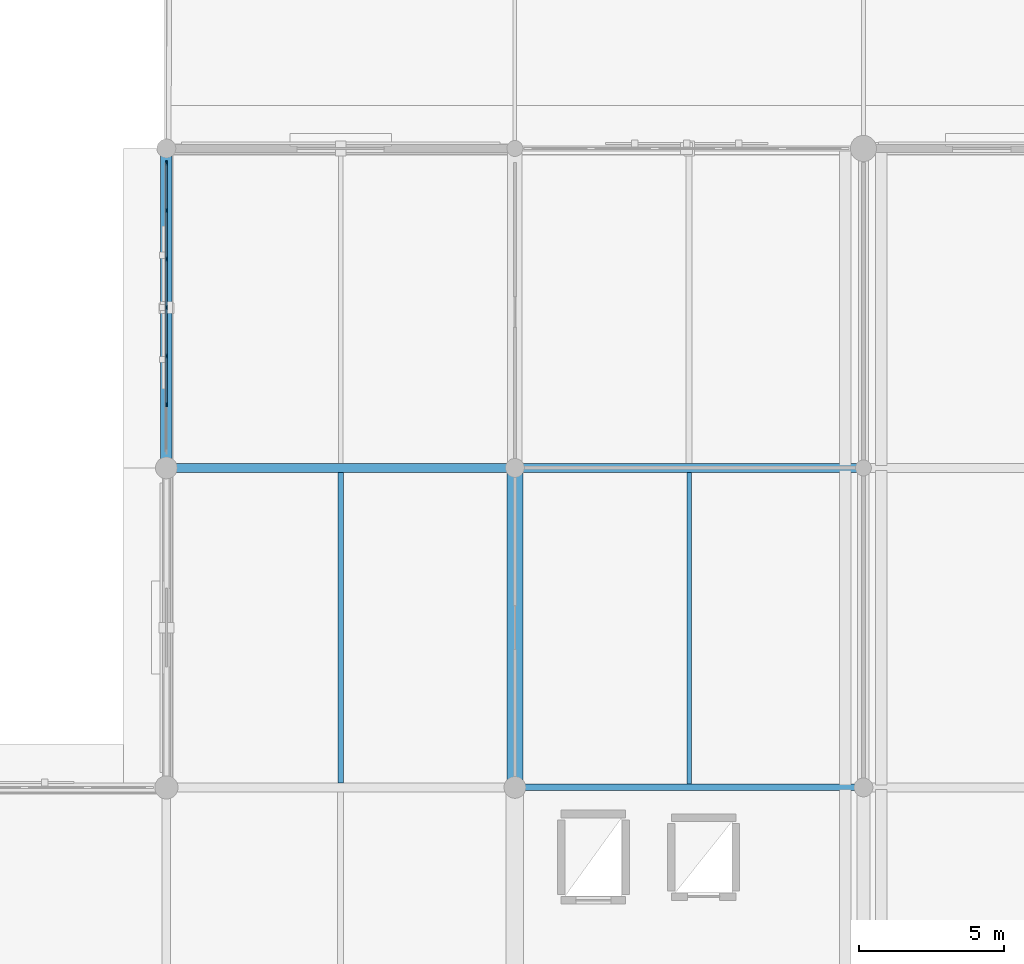
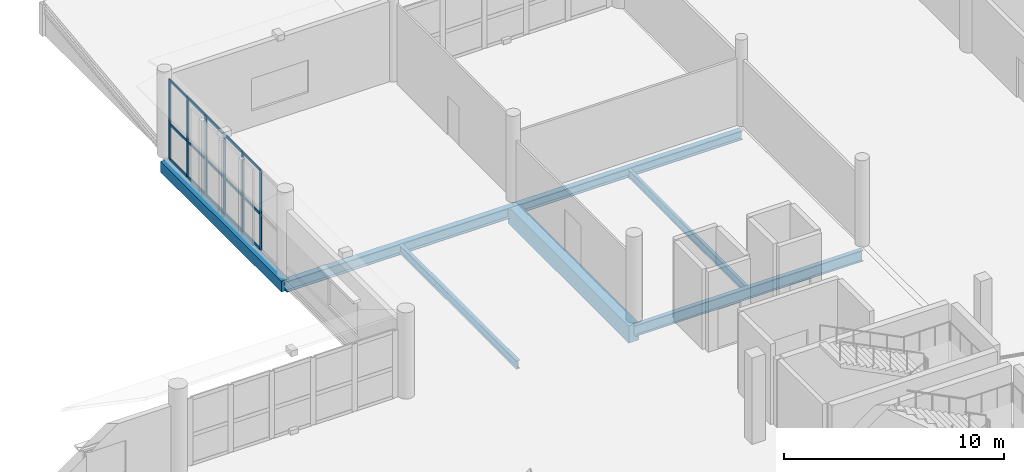
# One storey, part 67 of 143: 21 members, 7 beams, 1 element without a shape of its own.
"""IFC4 building model written with IfcOpenShell, lengths in metres."""

from ifc_helpers import new_model, si_unit, direction, frame, origin, origin_2d, place, context, subcontext, project, spatial, rectangle, i_section, extrude, material, material_profile, profile_set, type_object, element, aggregate, save


model = new_model("IFC4")

# Units and contexts
model_context = context("Model", 3, precision=1e-05, world=origin(), true_north=direction((0.0, 1.0)))
body_context = subcontext(model_context, "Body", "Model", "MODEL_VIEW")
ifc_project = project(units=[si_unit("LENGTHUNIT", "METRE"), si_unit("AREAUNIT", "SQUARE_METRE"), si_unit("VOLUMEUNIT", "CUBIC_METRE"), si_unit("PLANEANGLEUNIT", "RADIAN"), si_unit("MASSUNIT", "GRAM", prefix="KILO")], contexts=[model_context])

# Site, building, storey
site_placement = place(None, origin())
site = spatial("IfcSite", under=ifc_project, at=site_placement, CompositionType="ELEMENT")
building_placement = place(site_placement, origin())
building = spatial("IfcBuilding", under=site, at=building_placement, Name="Luwafu Chhajja Arena", CompositionType="ELEMENT")
storey_placement = place(building_placement, frame((0.0, 0.0, 5.39990234375)))
storey = spatial("IfcBuildingStorey", under=building, at=storey_placement, Name="L01", CompositionType="ELEMENT", Elevation=5.39990234375)

# Curtain wall, members
ifc_material_1 = material(Name="Anodised bronze aluminium", Category="aluminium")
curtain_wall_type = type_object("IfcCurtainWallType", Name="Community Hall Street Curtain Wall", PredefinedType="USERDEFINED", material=ifc_material_1)
curtain_wall_placement = place(storey_placement, origin())
curtain_wall = element("IfcCurtainWall", 1, at=curtain_wall_placement, inside=storey, type_object=curtain_wall_type, Name="L01 Curtain Wall CWG-L01-V12_10", ObjectType="CURTAIN WALL", PredefinedType="USERDEFINED")
ifc_material_profile_1 = material_profile(ifc_material_1, rectangle(XDim=0.06005859375, YDim=0.159912109375, at=origin_2d()), Name="CWM 60x160")
ifc_profile_set_1 = profile_set([ifc_material_profile_1], Name="Anodised bronze aluminium")
member_type_1 = type_object("IfcMemberType", Name="Bronze Curtain Wall Mullion 60x160", PredefinedType="MULLION", material=ifc_profile_set_1)
member_1_placement = place(storey_placement, frame((140.0, 112.18505859375, 0.030029296875), z_axis=(0.0, 0.0, 1.0), x_axis=(-1.0, 0.0, 0.0)))
member_1 = element("IfcMember", 2, at=member_1_placement, type_object=member_type_1, Name="CW-09 mullion 2", PredefinedType="MULLION", context=body_context, shape_type="SweptSolid", body=[
    extrude(rectangle(XDim=0.06005859375, YDim=0.159912109375, at=origin_2d()), origin(), (0.0, 0.0, 1.0), 4.43505859375),
])
member_2_placement = place(storey_placement, frame((140.0, 113.85498046875, 0.030029296875), z_axis=(0.0, 0.0, 1.0), x_axis=(-1.0, 0.0, 0.0)))
member_2 = element("IfcMember", 3, at=member_2_placement, type_object=member_type_1, Name="CW-09 mullion 3", PredefinedType="MULLION", context=body_context, shape_type="SweptSolid", body=[
    extrude(rectangle(XDim=0.06005859375, YDim=0.159912109375, at=origin_2d()), origin(), (0.0, 0.0, 1.0), 4.43505859375),
])
member_3_placement = place(storey_placement, frame((140.0, 115.52490234375, 0.030029296875), z_axis=(0.0, 0.0, 1.0), x_axis=(-1.0, 0.0, 0.0)))
member_3 = element("IfcMember", 4, at=member_3_placement, type_object=member_type_1, Name="CW-09 mullion 4", PredefinedType="MULLION", context=body_context, shape_type="SweptSolid", body=[
    extrude(rectangle(XDim=0.06005859375, YDim=0.159912109375, at=origin_2d()), origin(), (0.0, 0.0, 1.0), 4.43505859375),
])
member_4_placement = place(storey_placement, frame((140.0, 117.195068359375, 0.030029296875), z_axis=(0.0, 0.0, 1.0), x_axis=(-1.0, 0.0, 0.0)))
member_4 = element("IfcMember", 5, at=member_4_placement, type_object=member_type_1, Name="CW-09 mullion 5", PredefinedType="MULLION", context=body_context, shape_type="SweptSolid", body=[
    extrude(rectangle(XDim=0.06005859375, YDim=0.159912109375, at=origin_2d()), origin(), (0.0, 0.0, 1.0), 4.43505859375),
])
member_5_placement = place(storey_placement, frame((140.0, 118.864990234375, 0.030029296875), z_axis=(0.0, 0.0, 1.0), x_axis=(-1.0, 0.0, 0.0)))
member_5 = element("IfcMember", 6, at=member_5_placement, type_object=member_type_1, Name="CW-09 mullion 6", PredefinedType="MULLION", context=body_context, shape_type="SweptSolid", body=[
    extrude(rectangle(XDim=0.06005859375, YDim=0.159912109375, at=origin_2d()), origin(), (0.0, 0.0, 1.0), 4.43505859375),
])
member_6_placement = place(storey_placement, frame((140.0, 120.5048828125, 0.030029296875), z_axis=(0.0, 0.0, 1.0), x_axis=(-1.0, 0.0, 0.0)))
member_6 = element("IfcMember", 7, at=member_6_placement, type_object=member_type_1, Name="CW-09 mullion 7", PredefinedType="MULLION", context=body_context, shape_type="SweptSolid", body=[
    extrude(rectangle(XDim=0.06005859375, YDim=0.159912109375, at=origin_2d()), origin(), (0.0, 0.0, 1.0), 4.43505859375),
])
ifc_material_profile_2 = material_profile(ifc_material_1, rectangle(XDim=0.06005859375, YDim=0.1298828125, at=origin_2d()), Name="CWT 60x130")
ifc_profile_set_2 = profile_set([ifc_material_profile_2], Name="Anodised bronze aluminium")
member_type_2 = type_object("IfcMemberType", Name="Bronze Curtain Wall Transom 60x130", PredefinedType="USERDEFINED", material=ifc_profile_set_2)
member_7_placement = place(storey_placement, frame((140.0, 112.215087890625, 0.06005859375), z_axis=(0.0, 1.0, 0.0), x_axis=(-1.0, 0.0, 0.0)))
member_7 = element("IfcMember", 8, at=member_7_placement, type_object=member_type_2, Name="CW-09 transom 2.1", ObjectType="TRANSOM", PredefinedType="USERDEFINED", context=body_context, shape_type="SweptSolid", body=[
    extrude(rectangle(XDim=0.06005859375, YDim=0.1298828125, at=origin_2d()), origin(), (0.0, 0.0, 1.0), 1.60986328125),
])
member_8_placement = place(storey_placement, frame((140.0, 112.215087890625, 2.00927734375), z_axis=(0.0, 1.0, 0.0), x_axis=(-1.0, 0.0, 0.0)))
member_8 = element("IfcMember", 9, at=member_8_placement, type_object=member_type_2, Name="CW-09 transom 2.2", ObjectType="TRANSOM", PredefinedType="USERDEFINED", context=body_context, shape_type="SweptSolid", body=[
    extrude(rectangle(XDim=0.06005859375, YDim=0.1298828125, at=origin_2d()), origin(), (0.0, 0.0, 1.0), 1.60986328125),
])
member_9_placement = place(storey_placement, frame((140.0, 112.215087890625, 4.43505859375), z_axis=(0.0, 1.0, 0.0), x_axis=(-1.0, 0.0, 0.0)))
member_9 = element("IfcMember", 10, at=member_9_placement, type_object=member_type_2, Name="CW-09 transom 2.3", ObjectType="TRANSOM", PredefinedType="USERDEFINED", context=body_context, shape_type="SweptSolid", body=[
    extrude(rectangle(XDim=0.06005859375, YDim=0.1298828125, at=origin_2d()), origin(), (0.0, 0.0, 1.0), 1.60986328125),
])
member_10_placement = place(storey_placement, frame((140.0, 113.885009765625, 0.06005859375), z_axis=(0.0, 1.0, 0.0), x_axis=(-1.0, 0.0, 0.0)))
member_10 = element("IfcMember", 11, at=member_10_placement, type_object=member_type_2, Name="CW-09 transom 3.1", ObjectType="TRANSOM", PredefinedType="USERDEFINED", context=body_context, shape_type="SweptSolid", body=[
    extrude(rectangle(XDim=0.06005859375, YDim=0.1298828125, at=origin_2d()), origin(), (0.0, 0.0, 1.0), 1.610107421875),
])
member_11_placement = place(storey_placement, frame((140.0, 113.885009765625, 2.00927734375), z_axis=(0.0, 1.0, 0.0), x_axis=(-1.0, 0.0, 0.0)))
member_11 = element("IfcMember", 12, at=member_11_placement, type_object=member_type_2, Name="CW-09 transom 3.2", ObjectType="TRANSOM", PredefinedType="USERDEFINED", context=body_context, shape_type="SweptSolid", body=[
    extrude(rectangle(XDim=0.06005859375, YDim=0.1298828125, at=origin_2d()), origin(), (0.0, 0.0, 1.0), 1.610107421875),
])
member_12_placement = place(storey_placement, frame((140.0, 113.885009765625, 4.43505859375), z_axis=(0.0, 1.0, 0.0), x_axis=(-1.0, 0.0, 0.0)))
member_12 = element("IfcMember", 13, at=member_12_placement, type_object=member_type_2, Name="CW-09 transom 3.3", ObjectType="TRANSOM", PredefinedType="USERDEFINED", context=body_context, shape_type="SweptSolid", body=[
    extrude(rectangle(XDim=0.06005859375, YDim=0.1298828125, at=origin_2d()), origin(), (0.0, 0.0, 1.0), 1.610107421875),
])
member_13_placement = place(storey_placement, frame((140.0, 115.554931640625, 0.06005859375), z_axis=(0.0, 1.0, 0.0), x_axis=(-1.0, 0.0, 0.0)))
member_13 = element("IfcMember", 14, at=member_13_placement, type_object=member_type_2, Name="CW-09 transom 4.1", ObjectType="TRANSOM", PredefinedType="USERDEFINED", context=body_context, shape_type="SweptSolid", body=[
    extrude(rectangle(XDim=0.06005859375, YDim=0.1298828125, at=origin_2d()), origin(), (0.0, 0.0, 1.0), 1.610107421875),
])
member_14_placement = place(storey_placement, frame((140.0, 115.554931640625, 2.00927734375), z_axis=(0.0, 1.0, 0.0), x_axis=(-1.0, 0.0, 0.0)))
member_14 = element("IfcMember", 15, at=member_14_placement, type_object=member_type_2, Name="CW-09 transom 4.2", ObjectType="TRANSOM", PredefinedType="USERDEFINED", context=body_context, shape_type="SweptSolid", body=[
    extrude(rectangle(XDim=0.06005859375, YDim=0.1298828125, at=origin_2d()), origin(), (0.0, 0.0, 1.0), 1.610107421875),
])
member_15_placement = place(storey_placement, frame((140.0, 115.554931640625, 4.43505859375), z_axis=(0.0, 1.0, 0.0), x_axis=(-1.0, 0.0, 0.0)))
member_15 = element("IfcMember", 16, at=member_15_placement, type_object=member_type_2, Name="CW-09 transom 4.3", ObjectType="TRANSOM", PredefinedType="USERDEFINED", context=body_context, shape_type="SweptSolid", body=[
    extrude(rectangle(XDim=0.06005859375, YDim=0.1298828125, at=origin_2d()), origin(), (0.0, 0.0, 1.0), 1.610107421875),
])
member_16_placement = place(storey_placement, frame((140.0, 117.22509765625, 0.06005859375), z_axis=(0.0, 1.0, 0.0), x_axis=(-1.0, 0.0, 0.0)))
member_16 = element("IfcMember", 17, at=member_16_placement, type_object=member_type_2, Name="CW-09 transom 5.1", ObjectType="TRANSOM", PredefinedType="USERDEFINED", context=body_context, shape_type="SweptSolid", body=[
    extrude(rectangle(XDim=0.06005859375, YDim=0.1298828125, at=origin_2d()), origin(), (0.0, 0.0, 1.0), 1.60986328125),
])
member_17_placement = place(storey_placement, frame((140.0, 117.22509765625, 2.00927734375), z_axis=(0.0, 1.0, 0.0), x_axis=(-1.0, 0.0, 0.0)))
member_17 = element("IfcMember", 18, at=member_17_placement, type_object=member_type_2, Name="CW-09 transom 5.2", ObjectType="TRANSOM", PredefinedType="USERDEFINED", context=body_context, shape_type="SweptSolid", body=[
    extrude(rectangle(XDim=0.06005859375, YDim=0.1298828125, at=origin_2d()), origin(), (0.0, 0.0, 1.0), 1.60986328125),
])
member_18_placement = place(storey_placement, frame((140.0, 117.22509765625, 4.43505859375), z_axis=(0.0, 1.0, 0.0), x_axis=(-1.0, 0.0, 0.0)))
member_18 = element("IfcMember", 19, at=member_18_placement, type_object=member_type_2, Name="CW-09 transom 5.3", ObjectType="TRANSOM", PredefinedType="USERDEFINED", context=body_context, shape_type="SweptSolid", body=[
    extrude(rectangle(XDim=0.06005859375, YDim=0.1298828125, at=origin_2d()), origin(), (0.0, 0.0, 1.0), 1.60986328125),
])
member_19_placement = place(storey_placement, frame((140.0, 118.89501953125, 0.06005859375), z_axis=(0.0, 1.0, 0.0), x_axis=(-1.0, 0.0, 0.0)))
member_19 = element("IfcMember", 20, at=member_19_placement, type_object=member_type_2, Name="CW-09 transom 6.1", ObjectType="TRANSOM", PredefinedType="USERDEFINED", context=body_context, shape_type="SweptSolid", body=[
    extrude(rectangle(XDim=0.06005859375, YDim=0.1298828125, at=origin_2d()), origin(), (0.0, 0.0, 1.0), 1.580078125),
])
member_20_placement = place(storey_placement, frame((140.0, 118.89501953125, 2.00927734375), z_axis=(0.0, 1.0, 0.0), x_axis=(-1.0, 0.0, 0.0)))
member_20 = element("IfcMember", 21, at=member_20_placement, type_object=member_type_2, Name="CW-09 transom 6.2", ObjectType="TRANSOM", PredefinedType="USERDEFINED", context=body_context, shape_type="SweptSolid", body=[
    extrude(rectangle(XDim=0.06005859375, YDim=0.1298828125, at=origin_2d()), origin(), (0.0, 0.0, 1.0), 1.580078125),
])
member_21_placement = place(storey_placement, frame((140.0, 118.89501953125, 4.43505859375), z_axis=(0.0, 1.0, 0.0), x_axis=(-1.0, 0.0, 0.0)))
member_21 = element("IfcMember", 22, at=member_21_placement, type_object=member_type_2, Name="CW-09 transom 6.3", ObjectType="TRANSOM", PredefinedType="USERDEFINED", context=body_context, shape_type="SweptSolid", body=[
    extrude(rectangle(XDim=0.06005859375, YDim=0.1298828125, at=origin_2d()), origin(), (0.0, 0.0, 1.0), 1.580078125),
])
aggregate(curtain_wall, [member_1, member_2, member_3, member_4, member_5, member_6, member_7, member_8, member_9, member_10, member_11, member_12, member_13, member_14, member_15, member_16, member_17, member_18, member_19, member_20, member_21])

# Beams
ifc_material_2 = material(Name="Concrete C35/45", Category="concrete")
ifc_material_profile_3 = material_profile(ifc_material_2, rectangle(XDim=0.550048828125, YDim=0.949951171875, at=origin_2d()), Name="RC 550x950")
ifc_profile_set_3 = profile_set([ifc_material_profile_3], Name="Concrete C35/45")
beam_type_1 = type_object("IfcBeamType", Name="Concourse Radial Girder RC 550x950", PredefinedType="BEAM", material=ifc_profile_set_3)
beam_1_placement = place(storey_placement, frame((152.0, 99.0, -0.804931640625), z_axis=(0.0, 1.0, 0.0), x_axis=(-1.0, 0.0, 0.0)))
element("IfcBeam", 23, at=beam_1_placement, inside=storey, type_object=beam_type_1, Name="L01 Grid Beam 14/K-L", PredefinedType="BEAM", context=body_context, shape_type="SweptSolid", body=[
    extrude(rectangle(XDim=0.550048828125, YDim=0.949951171875, at=origin_2d()), origin(), (0.0, 0.0, 1.0), 11.0),
])
ifc_material_3 = material(Name="Steel S355", Category="steel")
ifc_material_profile_4 = material_profile(ifc_material_3, i_section(OverallWidth=0.15283203125, OverallDepth=0.45458984375, WebThickness=0.008056640625, FlangeThickness=0.01318359375, at=origin_2d()), Name="UB 457x152x60")
ifc_profile_set_4 = profile_set([ifc_material_profile_4], Name="Steel S355")
beam_type_2 = type_object("IfcBeamType", Name="Floor Joist UB 457x152x60", PredefinedType="JOIST", material=ifc_profile_set_4)
beam_2_placement = place(storey_placement, frame((158.0, 99.114501953125, -0.55712890625), z_axis=(0.0, 1.0, 0.0), x_axis=(-1.0, 0.0, 0.0)))
element("IfcBeam", 24, at=beam_2_placement, inside=storey, type_object=beam_type_2, Name="L01 Secondary Joist 14-15/K", PredefinedType="JOIST", context=body_context, shape_type="SweptSolid", body=[
    extrude(i_section(OverallWidth=0.15283203125, OverallDepth=0.45458984375, WebThickness=0.008056640625, FlangeThickness=0.01318359375, at=origin_2d()), origin(), (0.0, 0.0, 1.0), 10.735595703125),
])
ifc_material_profile_5 = material_profile(ifc_material_3, i_section(OverallWidth=0.19140625, OverallDepth=0.4599609375, WebThickness=0.010009765625, FlangeThickness=0.01611328125, at=origin_2d()), Name="UB 457x191x82")
ifc_profile_set_5 = profile_set([ifc_material_profile_5], Name="Steel S355")
beam_type_3 = type_object("IfcBeamType", Name="Floor Joist UB 457x191x82", PredefinedType="JOIST", material=ifc_profile_set_5)
beam_3_placement = place(storey_placement, frame((146.0, 99.153564453125, -0.559814453125), z_axis=(0.0, 1.0, 0.0), x_axis=(-1.0, 0.0, 0.0)))
element("IfcBeam", 25, at=beam_3_placement, inside=storey, type_object=beam_type_3, Name="L01 Secondary Joist 13-14/K", PredefinedType="JOIST", context=body_context, shape_type="SweptSolid", body=[
    extrude(i_section(OverallWidth=0.19140625, OverallDepth=0.4599609375, WebThickness=0.010009765625, FlangeThickness=0.01611328125, at=origin_2d()), origin(), (0.0, 0.0, 1.0), 10.696533203125),
])
ifc_material_profile_6 = material_profile(ifc_material_2, rectangle(XDim=0.39990234375, YDim=0.60009765625, at=origin_2d()), Name="RC 400x600")
ifc_profile_set_6 = profile_set([ifc_material_profile_6], Name="Concrete C35/45")
beam_type_4 = type_object("IfcBeamType", Name="Podium Perimeter Spandrel RC 400x600", PredefinedType="SPANDREL", material=ifc_profile_set_6)
beam_4_placement = place(storey_placement, frame((140.0, 110.0, -0.6298828125), z_axis=(0.0, 1.0, 0.0), x_axis=(-1.0, 0.0, 0.0)))
element("IfcBeam", 26, at=beam_4_placement, inside=storey, type_object=beam_type_4, Name="L01 Grid Beam 13/L-M", PredefinedType="SPANDREL", context=body_context, shape_type="SweptSolid", body=[
    extrude(rectangle(XDim=0.39990234375, YDim=0.60009765625, at=origin_2d()), origin(), (0.0, 0.0, 1.0), 11.0),
])
ifc_material_profile_7 = material_profile(ifc_material_3, i_section(OverallWidth=0.300048828125, OverallDepth=0.5, WebThickness=0.014404296875, FlangeThickness=0.028076171875, at=origin_2d()), Name="HEB 500")
ifc_profile_set_7 = profile_set([ifc_material_profile_7], Name="Steel S355")
beam_type_5 = type_object("IfcBeamType", Name="Steel Atrium Tie Girder HEB 500", PredefinedType="BEAM", material=ifc_profile_set_7)
beam_5_placement = place(storey_placement, frame((152.0, 110.0, -0.579833984375), z_axis=(1.0, 0.0, 0.0), x_axis=(0.0, 1.0, 0.0)))
element("IfcBeam", 27, at=beam_5_placement, inside=storey, type_object=beam_type_5, Name="L01 Grid Beam 14-15/L", PredefinedType="BEAM", context=body_context, shape_type="SweptSolid", body=[
    extrude(i_section(OverallWidth=0.300048828125, OverallDepth=0.5, WebThickness=0.014404296875, FlangeThickness=0.028076171875, at=origin_2d()), origin(), (0.0, 0.0, 1.0), 12.0),
])
ifc_material_profile_8 = material_profile(ifc_material_3, i_section(OverallWidth=0.300048828125, OverallDepth=0.60009765625, WebThickness=0.015380859375, FlangeThickness=0.030029296875, at=origin_2d()), Name="HEB 600")
ifc_profile_set_8 = profile_set([ifc_material_profile_8], Name="Steel S355")
beam_type_6 = type_object("IfcBeamType", Name="Steel Gallery Girder HEB 600", PredefinedType="BEAM", material=ifc_profile_set_8)
beam_6_placement = place(storey_placement, frame((140.0, 110.0, -0.6298828125), z_axis=(1.0, 0.0, 0.0), x_axis=(0.0, 1.0, 0.0)))
element("IfcBeam", 28, at=beam_6_placement, inside=storey, type_object=beam_type_6, Name="L01 Grid Beam 13-14/L", PredefinedType="BEAM", context=body_context, shape_type="SweptSolid", body=[
    extrude(i_section(OverallWidth=0.300048828125, OverallDepth=0.60009765625, WebThickness=0.015380859375, FlangeThickness=0.030029296875, at=origin_2d()), origin(), (0.0, 0.0, 1.0), 12.0),
])
ifc_material_profile_9 = material_profile(ifc_material_3, i_section(OverallWidth=0.22900390625, OverallDepth=0.6123046875, WebThickness=0.011962890625, FlangeThickness=0.01953125, at=origin_2d()), Name="UB 610x229x125")
ifc_profile_set_9 = profile_set([ifc_material_profile_9], Name="Steel S355")
beam_type_7 = type_object("IfcBeamType", Name="Steel Mezzanine Girder UB 610x229x125", PredefinedType="BEAM", material=ifc_profile_set_9)
beam_7_placement = place(storey_placement, frame((152.0, 99.0, -0.635986328125), z_axis=(1.0, 0.0, 0.0), x_axis=(0.0, 1.0, 0.0)))
element("IfcBeam", 29, at=beam_7_placement, inside=storey, type_object=beam_type_7, Name="L01 Grid Beam 14-15/K", PredefinedType="BEAM", context=body_context, shape_type="SweptSolid", body=[
    extrude(i_section(OverallWidth=0.22900390625, OverallDepth=0.6123046875, WebThickness=0.011962890625, FlangeThickness=0.01953125, at=origin_2d()), origin(), (0.0, 0.0, 1.0), 12.0),
])

save(model, "model.ifc")
